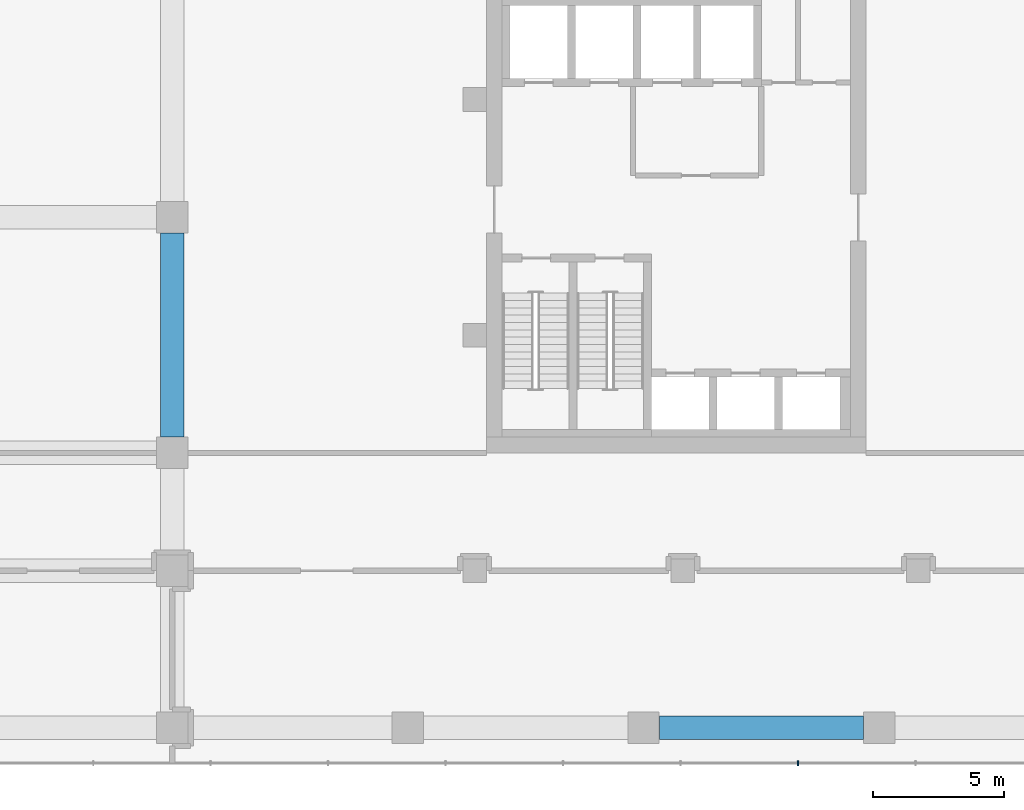
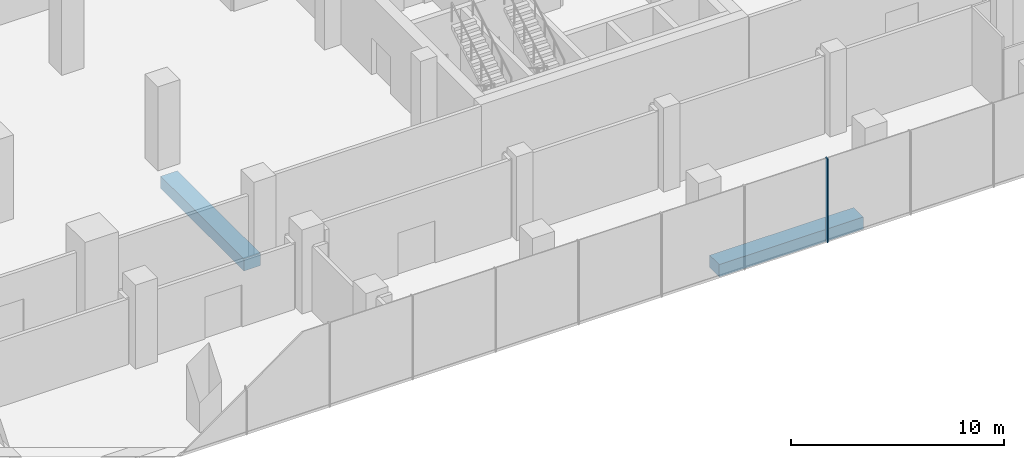
# One storey, part 14 of 42: 2 beams, 1 member, 1 element without a shape of its own.
"""IFC4 building model written with IfcOpenShell, lengths in metres."""

import ifcopenshell
import ifcopenshell.guid

model = None  # the IFC model being written
_history = None  # IfcOwnerHistory: only IFC2X3 demands one
_inside = {}  # id of a spatial element -> (the spatial element, [elements in it])
_under = {}  # id of a project, library or spatial element -> (it, [spatial elements below it])
_declared = {}  # id of a project -> (the project, [libraries it declares])
_typed = {}  # id of a type object -> (the type object, [elements of that type])
_made_of = {}  # id of a material, layer set ... -> (it, [elements and type objects made of it])


def new_model(schema):
    """Start an empty IFC model of exactly this schema.

    Asked for "IFC4X3", IfcOpenShell would pick the latest addendum, in which some entities
    have other attributes; the version numbers below select the first issue.
    IFC2X3 requires an IfcOwnerHistory on every rooted entity: one is made here for all.
    """
    global model, _history
    if schema == "IFC4X3":
        model = ifcopenshell.file(schema_version=(4, 3, 0, 0))
    else:
        model = ifcopenshell.file(schema=schema)
    _inside.clear()
    _under.clear()
    _declared.clear()
    _typed.clear()
    _made_of.clear()
    _history = None
    if model.schema == "IFC2X3":
        org = make("IfcOrganization", Name="unknown")
        user = make(
            "IfcPersonAndOrganization",
            ThePerson=make("IfcPerson", FamilyName="unknown"),
            TheOrganization=org,
        )
        app = make(
            "IfcApplication",
            ApplicationDeveloper=org,
            Version="unknown",
            ApplicationFullName="unknown",
            ApplicationIdentifier="unknown",
        )
        _history = make(
            "IfcOwnerHistory",
            OwningUser=user,
            OwningApplication=app,
            ChangeAction="ADDED",
            CreationDate=0,
        )
    return model


def make(cls, **values):
    """One entity of the class cls with the attributes given. An attribute that is None is left unset."""
    return model.create_entity(
        cls, **{name: value for name, value in values.items() if value is not None}
    )


def rooted(cls, **values):
    """An entity with a GlobalId (a new one), such as an element, a storey or a relation."""
    return make(cls, GlobalId=ifcopenshell.guid.new(), OwnerHistory=_history, **values)


def si_unit(unit_type, name, prefix=None):
    """IfcSIUnit, for example si_unit("LENGTHUNIT", "METRE", prefix="MILLI")."""
    return make("IfcSIUnit", UnitType=unit_type, Prefix=prefix, Name=name)


def assignment(units):
    """IfcUnitAssignment: the units of a project."""
    return None if units is None else make("IfcUnitAssignment", Units=units)


def point(xyz):
    """IfcCartesianPoint."""
    return None if xyz is None else make("IfcCartesianPoint", Coordinates=xyz)


def direction(xyz):
    """IfcDirection."""
    return None if xyz is None else make("IfcDirection", DirectionRatios=xyz)


def frame(location, z_axis=None, x_axis=None):
    """IfcAxis2Placement3D, a coordinate frame: its origin and axes. An axis left out is left unset."""
    return make(
        "IfcAxis2Placement3D",
        Location=point(location),
        Axis=direction(z_axis),
        RefDirection=direction(x_axis),
    )


def frame_2d(location, x_axis=None):
    """IfcAxis2Placement2D, a coordinate frame in the plane: its origin and x axis."""
    return make(
        "IfcAxis2Placement2D", Location=point(location), RefDirection=direction(x_axis)
    )


def origin():
    """The frame at (0, 0, 0) with its axes left unset."""
    return frame((0.0, 0.0, 0.0))


def origin_2d():
    """The frame at (0, 0) in the plane with its x axis left unset."""
    return frame_2d((0.0, 0.0))


def place(relative_to, where):
    """IfcLocalPlacement: puts the frame where relative to a parent placement (None: the world)."""
    return make(
        "IfcLocalPlacement", PlacementRelTo=relative_to, RelativePlacement=where
    )


def context(
    kind, dimensions, precision=None, world=None, true_north=None, identifier=None
):
    """IfcGeometricRepresentationContext, for example the 3D "Model" context."""
    return make(
        "IfcGeometricRepresentationContext",
        ContextIdentifier=identifier,
        ContextType=kind,
        CoordinateSpaceDimension=dimensions,
        Precision=precision,
        WorldCoordinateSystem=world,
        TrueNorth=true_north,
    )


def subcontext(parent, identifier, kind, view, scale=None):
    """IfcGeometricRepresentationSubContext, for example "Body" below "Model"."""
    return make(
        "IfcGeometricRepresentationSubContext",
        ContextIdentifier=identifier,
        ContextType=kind,
        ParentContext=parent,
        TargetScale=scale,
        TargetView=view,
    )


def project(units=None, contexts=None):
    """IfcProject with its units and contexts."""
    return rooted(
        "IfcProject",
        Name="project",
        RepresentationContexts=contexts,
        UnitsInContext=assignment(units),
    )


def spatial(cls, under=None, at=None, **own):
    """A site, building, storey or space (cls), placed at a placement, below another one or the project."""
    s = rooted(cls, ObjectPlacement=at, **own)
    if under is not None:
        _under.setdefault(under.id(), (under, []))[1].append(s)
    return s


def profile(cls, at=None, kind="AREA", **sizes):
    """A parametric profile (cls). Its sizes go by their IFC names, for example OverallWidth=200.0."""
    return make(cls, ProfileType=kind, Position=at, **sizes)


def rectangle(**sizes):
    """IfcRectangleProfileDef."""
    return profile("IfcRectangleProfileDef", **sizes)


def extrude(swept, where, along, depth):
    """IfcExtrudedAreaSolid: the profile swept, set in the frame where, extruded along a direction by depth."""
    return make(
        "IfcExtrudedAreaSolid",
        SweptArea=swept,
        Position=where,
        ExtrudedDirection=direction(along),
        Depth=depth,
    )


def shape(context_of_items, identifier, shape_type, items):
    """IfcShapeRepresentation: the items that make up one representation, for example the "Body"."""
    return make(
        "IfcShapeRepresentation",
        ContextOfItems=context_of_items,
        RepresentationIdentifier=identifier,
        RepresentationType=shape_type,
        Items=items,
    )


def material(Name=None, Category=None):
    """IfcMaterial."""
    return make("IfcMaterial", Name=Name, Category=Category)


def layer(
    of_material, thickness, ventilated=None, Name=None, Category=None, Priority=None
):
    """IfcMaterialLayer: one layer of a wall or slab, of a material (None: an air gap)."""
    return make(
        "IfcMaterialLayer",
        Material=of_material,
        LayerThickness=thickness,
        IsVentilated=ventilated,
        Name=Name,
        Category=Category,
        Priority=Priority,
    )


def layer_set(layers, Name=None):
    """IfcMaterialLayerSet."""
    return make("IfcMaterialLayerSet", MaterialLayers=layers, LayerSetName=Name)


def material_profile(
    of_material, cross_section, Name=None, Category=None, Priority=None
):
    """IfcMaterialProfile: a cross section and its material."""
    return make(
        "IfcMaterialProfile",
        Name=Name,
        Material=of_material,
        Profile=cross_section,
        Priority=Priority,
        Category=Category,
    )


def profile_set(profiles, Name=None, composite=None):
    """IfcMaterialProfileSet."""
    return make(
        "IfcMaterialProfileSet",
        Name=Name,
        MaterialProfiles=profiles,
        CompositeProfile=composite,
    )


def made_of(thing, what):
    """Note that an element or type object is made of a material, layer set ...; save() writes the relation."""
    if what is not None:
        _made_of.setdefault(what.id(), (what, []))[1].append(thing)
    return thing


def type_object(cls, material=None, **own):
    """A type object (cls), such as IfcWallType, which elements share."""
    return made_of(rooted(cls, **own), material)


def element(
    cls,
    number,
    at=None,
    inside=None,
    cuts=None,
    type_object=None,
    material=None,
    context=None,
    identifier="Body",
    shape_type=None,
    held_by="IfcProductDefinitionShape",
    body=None,
    shapes=None,
    **own,
):
    """One element of the class cls, such as IfcWall. Its Tag is "e" and its number.

    at: its placement. inside: the storey or other place that contains it. cuts: it is an
    opening in that element (IfcRelVoidsElement). A single representation is given by context,
    identifier, shape_type and body (its items); several are given by shapes. held_by: the class
    of the entity that holds the representations. save() writes the other relations.
    """
    e = rooted(cls, Tag="e%d" % number, ObjectPlacement=at, **own)
    if body is not None:
        shapes = [shape(context, identifier, shape_type, body)]
    if shapes is not None:
        e.Representation = make(held_by, Representations=shapes)
    if inside is not None:
        _inside.setdefault(inside.id(), (inside, []))[1].append(e)
    if cuts is not None:
        rooted(
            "IfcRelVoidsElement", RelatingBuildingElement=cuts, RelatedOpeningElement=e
        )
    if type_object is not None:
        _typed.setdefault(type_object.id(), (type_object, []))[1].append(e)
    return made_of(e, material)


def aggregate(whole, parts):
    """IfcRelAggregates: a whole, such as a stair, and the parts it consists of."""
    return rooted("IfcRelAggregates", RelatingObject=whole, RelatedObjects=parts)


def save(model, path):
    """Write the relations noted so far, then the file.

    IfcRelAggregates (storeys below a building ...), IfcRelContainedInSpatialStructure (elements
    in a storey), IfcRelDefinesByType, IfcRelAssociatesMaterial and IfcRelDeclares: one each for
    every whole, place, type object, material and project.
    """
    for whole, parts in _under.values():
        aggregate(whole, parts)
    for where, things in _inside.values():
        rooted(
            "IfcRelContainedInSpatialStructure",
            RelatedElements=things,
            RelatingStructure=where,
        )
    for kind, things in _typed.values():
        rooted("IfcRelDefinesByType", RelatedObjects=things, RelatingType=kind)
    for what, things in _made_of.values():
        rooted("IfcRelAssociatesMaterial", RelatedObjects=things, RelatingMaterial=what)
    for by, libraries in _declared.values():
        rooted("IfcRelDeclares", RelatingContext=by, RelatedDefinitions=libraries)
    model.write(path)


model = new_model("IFC4")

# Units and contexts
model_context = context("Model", 3, precision=1e-05, world=origin(), true_north=direction((0.0, 1.0)))
body_context = subcontext(model_context, "Body", "Model", "MODEL_VIEW")
ifc_project = project(units=[si_unit("LENGTHUNIT", "METRE"), si_unit("AREAUNIT", "SQUARE_METRE"), si_unit("VOLUMEUNIT", "CUBIC_METRE"), si_unit("PLANEANGLEUNIT", "RADIAN"), si_unit("MASSUNIT", "GRAM", prefix="KILO")], contexts=[model_context])

# Site, building, storey
site_placement = place(None, origin())
site = spatial("IfcSite", under=ifc_project, at=site_placement, CompositionType="ELEMENT")
building_placement = place(site_placement, origin())
building = spatial("IfcBuilding", under=site, at=building_placement, Name="Plateau Cross Towers", CompositionType="ELEMENT")
storey_placement = place(building_placement, frame((0.0, 0.0, 8.0)))
storey = spatial("IfcBuildingStorey", under=building, at=storey_placement, Name="L01", CompositionType="ELEMENT", Elevation=8.0)

# Curtain wall, member
ifc_material_1 = material(Name="Dark low-iron laminated glass", Category="glass")
ifc_layer = layer(ifc_material_1, 0.300048828125)
ifc_layer_set = layer_set([ifc_layer], Name="Dark low-iron laminated glass")
curtain_wall_type = type_object("IfcCurtainWallType", Name="Curtain wall structural silicone CW-C", PredefinedType="NOTDEFINED", material=ifc_layer_set)
curtain_wall_placement = place(storey_placement, origin())
curtain_wall = element("IfcCurtainWall", 1, at=curtain_wall_placement, inside=storey, type_object=curtain_wall_type, Name="ENV/P/L01/P-28_-118", PredefinedType="NOTDEFINED")
ifc_material_2 = material(Name="Black anodised aluminium", Category="aluminium")
ifc_material_profile_1 = material_profile(ifc_material_2, rectangle(XDim=0.050048828125, YDim=0.199951171875, at=origin_2d()), Name="MULLION 50x200")
ifc_profile_set_1 = profile_set([ifc_material_profile_1], Name="Black anodised aluminium")
member_type = type_object("IfcMemberType", Name="Mullion 50x200 structural silicone", PredefinedType="MULLION", material=ifc_profile_set_1)
member_placement = place(storey_placement, frame((86.89990234375, -11.85009765625, -0.35009765625), z_axis=(0.0, 0.0, 1.0), x_axis=(1.0, 0.0, 0.0)))
member = element("IfcMember", 2, at=member_placement, type_object=member_type, Name="CW-C mullion 21", PredefinedType="MULLION", context=body_context, shape_type="SweptSolid", body=[
    extrude(rectangle(XDim=0.050048828125, YDim=0.199951171875, at=origin_2d()), origin(), (0.0, 0.0, 1.0), 4.800048828125),
])
aggregate(curtain_wall, [member])

# Beams
ifc_material_3 = material(Name="Concrete C50/60", Category="concrete")
ifc_material_profile_2 = material_profile(ifc_material_3, rectangle(XDim=0.89990234375, YDim=0.699951171875, at=origin_2d()), Name="RC 900x700")
ifc_profile_set_2 = profile_set([ifc_material_profile_2], Name="Concrete C50/60")
beam_type = type_object("IfcBeamType", Name="Podium band beam RC 900x700", PredefinedType="BEAM", material=ifc_profile_set_2)
for number, where, z_axis, x_axis, name in (
    (3, (81.60009765625, -10.5, -0.699951171875), (1.0, 0.0, 0.0), (0.0, 1.0, 0.0), "PB11@L01"),
    (4, (63.0, 0.60009765625, -0.699951171875), (0.0, 1.0, 0.0), (-1.0, 0.0, 0.0), "PB150@L01"),
):
    element("IfcBeam", number, at=place(storey_placement, frame(where, z_axis=z_axis, x_axis=x_axis)), inside=storey, type_object=beam_type, Name=name, PredefinedType="BEAM", context=body_context, shape_type="SweptSolid", body=[
        extrude(rectangle(XDim=0.89990234375, YDim=0.699951171875, at=origin_2d()), origin(), (0.0, 0.0, 1.0), 7.7998046875),
    ])

save(model, "model.ifc")
